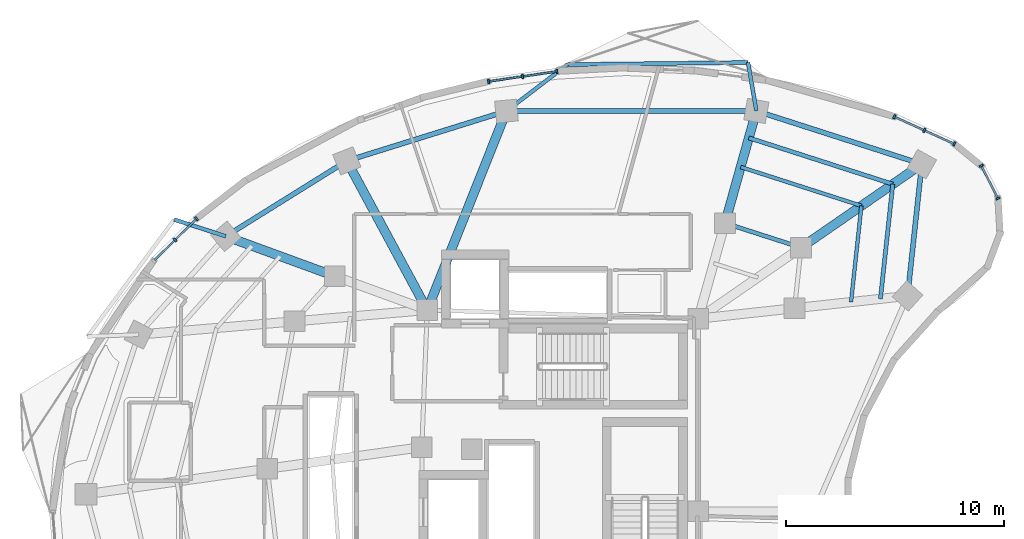
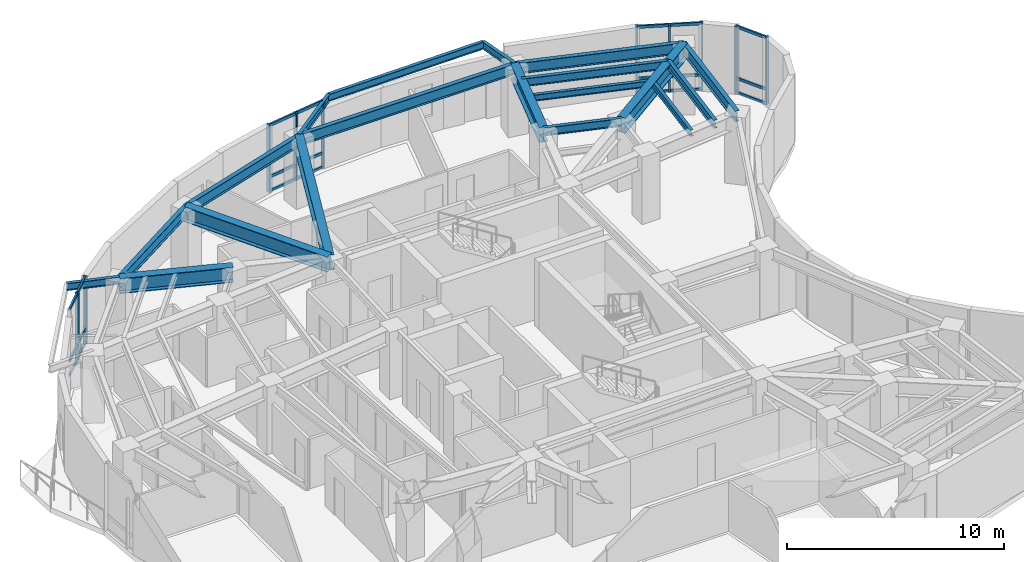
# One storey, part 5 of 13: 31 members, 19 beams, 4 elements without a shape of their own.
"""IFC4 building model written with IfcOpenShell, lengths in metres."""

from ifc_helpers import new_model, si_unit, direction, frame, origin, origin_2d, place, context, subcontext, project, spatial, rectangle, i_section, extrude, material, layer, layer_set, material_profile, profile_set, type_object, element, aggregate, save


model = new_model("IFC4")

# Units and contexts
model_context = context("Model", 3, precision=1e-05, world=origin(), true_north=direction((0.0, 1.0)))
body_context = subcontext(model_context, "Body", "Model", "MODEL_VIEW")
ifc_project = project(units=[si_unit("LENGTHUNIT", "METRE"), si_unit("AREAUNIT", "SQUARE_METRE"), si_unit("VOLUMEUNIT", "CUBIC_METRE"), si_unit("PLANEANGLEUNIT", "RADIAN"), si_unit("MASSUNIT", "GRAM", prefix="KILO")], contexts=[model_context])

# Site, building, storey
site_placement = place(None, origin())
site = spatial("IfcSite", under=ifc_project, at=site_placement, CompositionType="ELEMENT")
building_placement = place(site_placement, origin())
building = spatial("IfcBuilding", under=site, at=building_placement, Name="Korentha Bioscience Tower", CompositionType="ELEMENT")
storey_placement = place(building_placement, frame((0.0, 0.0, 162.60009765625)))
storey = spatial("IfcBuildingStorey", under=building, at=storey_placement, Name="L37", CompositionType="ELEMENT", Elevation=162.60009765625)

# Beam
ifc_material_1 = material(Name="Steel S355", Category="steel")
ifc_material_profile_1 = material_profile(ifc_material_1, i_section(OverallWidth=0.18994140625, OverallDepth=0.45703125, WebThickness=0.009033203125, FlangeThickness=0.014404296875, at=origin_2d()), Name="Steel S355")
ifc_profile_set_1 = profile_set([ifc_material_profile_1], Name="Steel S355 (MB-460)")
beam_type_1 = type_object("IfcBeamType", Name="Mid-Ring Tie Girder W460x74", PredefinedType="BEAM", material=ifc_profile_set_1)
beam_1_placement = place(storey_placement, frame((42.274658203125, 39.1171875, 3.5615234375), z_axis=(-0.952000195343, 0.306097415976, 0.0), x_axis=(-0.306097415976, -0.952000195343, 0.0)))
element("IfcBeam", 1, at=beam_1_placement, inside=storey, type_object=beam_type_1, Name="L37 Mid-Ring Tie Girder 01", PredefinedType="BEAM", context=body_context, shape_type="SweptSolid", body=[
    extrude(i_section(OverallWidth=0.18994140625, OverallDepth=0.45703125, WebThickness=0.009033203125, FlangeThickness=0.014404296875, at=origin_2d()), origin(), (0.0, 0.0, 1.0), 3.672119140625),
])

# Curtain wall, members
ifc_material_2 = material(Name="Thermally Broken Aluminium Frame", Category="aluminium")
ifc_layer = layer(ifc_material_2, 0.219970703125, Name="Thermally Broken Aluminium Frame")
ifc_layer_set = layer_set([ifc_layer], Name="Thermally Broken Aluminium Frame (CW-T1)")
curtain_wall_type = type_object("IfcCurtainWallType", Name="Standard Bioscience Lab Unitised Curtain Wall CW-T1", PredefinedType="USERDEFINED", material=ifc_layer_set)
curtain_wall_1_placement = place(storey_placement, origin())
curtain_wall_1 = element("IfcCurtainWall", 2, at=curtain_wall_1_placement, inside=storey, type_object=curtain_wall_type, Name="L37 Curtain Wall 01", ObjectType="UNITISED", PredefinedType="USERDEFINED")
ifc_material_3 = material(Name="Anodised Aluminium 6063-T6", Category="aluminium")
ifc_material_profile_2 = material_profile(ifc_material_3, rectangle(XDim=0.090087890625, YDim=0.199951171875, at=origin_2d()), Name="Anodised Aluminium 6063-T6")
ifc_profile_set_2 = profile_set([ifc_material_profile_2], Name="Anodised Aluminium 6063-T6 (CW-MUL)")
member_type_1 = type_object("IfcMemberType", Name="Mullion RECT 90x200", PredefinedType="MULLION", material=ifc_profile_set_2)
member_1_placement = place(storey_placement, frame((49.314453125, 43.878173828125, 0.0), z_axis=(0.0, 0.0, 1.0), x_axis=(-0.910644398392, 0.413190972406, 0.0)))
member_1 = element("IfcMember", 3, at=member_1_placement, type_object=member_type_1, Name="CW-L37-01 Mullion 1", PredefinedType="MULLION", context=body_context, shape_type="SweptSolid", body=[
    extrude(rectangle(XDim=0.090087890625, YDim=0.199951171875, at=origin_2d()), origin(), (0.0, 0.0, 1.0), 3.789794921875),
])
member_2_placement = place(storey_placement, frame((47.93701171875, 44.503173828125, 0.0), z_axis=(0.0, 0.0, 1.0), x_axis=(-0.910644398392, 0.413190972406, 0.0)))
member_2 = element("IfcMember", 4, at=member_2_placement, type_object=member_type_1, Name="CW-L37-01 Mullion 2", PredefinedType="MULLION", context=body_context, shape_type="SweptSolid", body=[
    extrude(rectangle(XDim=0.090087890625, YDim=0.199951171875, at=origin_2d()), origin(), (0.0, 0.0, 1.0), 3.789794921875),
])
member_3_placement = place(storey_placement, frame((46.5595703125, 45.128173828125, 0.0), z_axis=(0.0, 0.0, 1.0), x_axis=(-0.910644398392, 0.413190972406, 0.0)))
member_3 = element("IfcMember", 5, at=member_3_placement, type_object=member_type_1, Name="CW-L37-01 Mullion 3", PredefinedType="MULLION", context=body_context, shape_type="SweptSolid", body=[
    extrude(rectangle(XDim=0.090087890625, YDim=0.199951171875, at=origin_2d()), origin(), (0.0, 0.0, 1.0), 3.789794921875),
])

curtain_wall_2_placement = place(storey_placement, origin())
curtain_wall_2 = element("IfcCurtainWall", 6, at=curtain_wall_2_placement, inside=storey, type_object=curtain_wall_type, Name="L37 Curtain Wall 07", ObjectType="UNITISED", PredefinedType="USERDEFINED")
member_4_placement = place(storey_placement, frame((31.056640625, 47.205078125, 0.0), z_axis=(0.0, 0.0, 1.0), x_axis=(-0.989461919888, -0.144793332342, 0.0)))
member_4 = element("IfcMember", 7, at=member_4_placement, type_object=member_type_1, Name="CW-L37-07 Mullion 1", PredefinedType="MULLION", context=body_context, shape_type="SweptSolid", body=[
    extrude(rectangle(XDim=0.090087890625, YDim=0.199951171875, at=origin_2d()), origin(), (0.0, 0.0, 1.0), 3.789794921875),
])
member_5_placement = place(storey_placement, frame((29.485107421875, 46.97509765625, 0.0), z_axis=(0.0, 0.0, 1.0), x_axis=(-0.989461919888, -0.144793332342, 0.0)))
member_5 = element("IfcMember", 8, at=member_5_placement, type_object=member_type_1, Name="CW-L37-07 Mullion 2", PredefinedType="MULLION", context=body_context, shape_type="SweptSolid", body=[
    extrude(rectangle(XDim=0.090087890625, YDim=0.199951171875, at=origin_2d()), origin(), (0.0, 0.0, 1.0), 3.789794921875),
])
member_6_placement = place(storey_placement, frame((27.913330078125, 46.7451171875, 0.0), z_axis=(0.0, 0.0, 1.0), x_axis=(-0.989461919888, -0.144793332342, 0.0)))
member_6 = element("IfcMember", 9, at=member_6_placement, type_object=member_type_1, Name="CW-L37-07 Mullion 3", PredefinedType="MULLION", context=body_context, shape_type="SweptSolid", body=[
    extrude(rectangle(XDim=0.090087890625, YDim=0.199951171875, at=origin_2d()), origin(), (0.0, 0.0, 1.0), 3.789794921875),
])

curtain_wall_3_placement = place(storey_placement, origin())
curtain_wall_3 = element("IfcCurtainWall", 10, at=curtain_wall_3_placement, inside=storey, type_object=curtain_wall_type, Name="L37 Curtain Wall 13", ObjectType="UNITISED", PredefinedType="USERDEFINED")
member_7_placement = place(storey_placement, frame((14.49951171875, 40.44287109375, 0.0), z_axis=(0.0, 0.0, 1.0), x_axis=(-0.711460557971, -0.702726030862, 0.0)))
member_7 = element("IfcMember", 11, at=member_7_placement, type_object=member_type_1, Name="CW-L37-13 Mullion 1", PredefinedType="MULLION", context=body_context, shape_type="SweptSolid", body=[
    extrude(rectangle(XDim=0.090087890625, YDim=0.199951171875, at=origin_2d()), origin(), (0.0, 0.0, 1.0), 3.789794921875),
])
member_8_placement = place(storey_placement, frame((13.517333984375, 39.472900390625, 0.0), z_axis=(0.0, 0.0, 1.0), x_axis=(-0.711460557971, -0.702726030862, 0.0)))
member_8 = element("IfcMember", 12, at=member_8_placement, type_object=member_type_1, Name="CW-L37-13 Mullion 2", PredefinedType="MULLION", context=body_context, shape_type="SweptSolid", body=[
    extrude(rectangle(XDim=0.090087890625, YDim=0.199951171875, at=origin_2d()), origin(), (0.0, 0.0, 1.0), 3.789794921875),
])

curtain_wall_4_placement = place(storey_placement, origin())
curtain_wall_4 = element("IfcCurtainWall", 13, at=curtain_wall_4_placement, inside=storey, type_object=curtain_wall_type, Name="L37 Curtain Wall 61", ObjectType="UNITISED", PredefinedType="USERDEFINED")
member_9_placement = place(storey_placement, frame((51.31884765625, 41.375732421875, 0.0), z_axis=(0.0, 0.0, 1.0), x_axis=(-0.45428845847, 0.890854643868, 0.0)))
member_9 = element("IfcMember", 14, at=member_9_placement, type_object=member_type_1, Name="CW-L37-61 Mullion 1", PredefinedType="MULLION", context=body_context, shape_type="SweptSolid", body=[
    extrude(rectangle(XDim=0.090087890625, YDim=0.199951171875, at=origin_2d()), origin(), (0.0, 0.0, 1.0), 3.789794921875),
])
member_10_placement = place(storey_placement, frame((50.5546875, 42.873779296875, 0.0), z_axis=(0.0, 0.0, 1.0), x_axis=(-0.45428845847, 0.890854643868, 0.0)))
member_10 = element("IfcMember", 15, at=member_10_placement, type_object=member_type_1, Name="CW-L37-61 Mullion 2", PredefinedType="MULLION", context=body_context, shape_type="SweptSolid", body=[
    extrude(rectangle(XDim=0.090087890625, YDim=0.199951171875, at=origin_2d()), origin(), (0.0, 0.0, 1.0), 3.789794921875),
])

# Beams
ifc_material_profile_3 = material_profile(ifc_material_1, i_section(OverallWidth=0.22802734375, OverallDepth=0.60791015625, WebThickness=0.01123046875, FlangeThickness=0.017333984375, at=origin_2d()), Name="Steel S355")
ifc_profile_set_3 = profile_set([ifc_material_profile_3], Name="Steel S355 (SB-610)")
beam_type_2 = type_object("IfcBeamType", Name="Perimeter Ring Spandrel Girder W610x113", PredefinedType="SPANDREL", material=ifc_profile_set_3)
beam_2_placement = place(storey_placement, frame((47.821044921875, 42.95263671875, 3.48583984375), z_axis=(-0.952008512555, 0.306071547228, 0.0), x_axis=(-0.306071547228, -0.952008512555, 0.0)))
element("IfcBeam", 16, at=beam_2_placement, inside=storey, type_object=beam_type_2, Name="L37 Perimeter Spandrel Girder 01", PredefinedType="SPANDREL", context=body_context, shape_type="SweptSolid", body=[
    extrude(i_section(OverallWidth=0.22802734375, OverallDepth=0.60791015625, WebThickness=0.01123046875, FlangeThickness=0.017333984375, at=origin_2d()), origin(), (0.0, 0.0, 1.0), 7.98291015625),
])
beam_3_placement = place(storey_placement, frame((40.22119140625, 45.39599609375, 3.48583984375), z_axis=(-0.99999988041, -0.000489059883, 0.0), x_axis=(0.000489059883, -0.99999988041, 0.0)))
element("IfcBeam", 17, at=beam_3_placement, inside=storey, type_object=beam_type_2, Name="L37 Perimeter Spandrel Girder 02", PredefinedType="SPANDREL", context=body_context, shape_type="SweptSolid", body=[
    extrude(i_section(OverallWidth=0.22802734375, OverallDepth=0.60791015625, WebThickness=0.01123046875, FlangeThickness=0.017333984375, at=origin_2d()), origin(), (0.0, 0.0, 1.0), 11.481689453125),
])
beam_4_placement = place(storey_placement, frame((28.739501953125, 45.390380859375, 3.48583984375), z_axis=(-0.954638172607, -0.29776829818, 0.0), x_axis=(0.29776829818, -0.954638172607, 0.0)))
element("IfcBeam", 18, at=beam_4_placement, inside=storey, type_object=beam_type_2, Name="L37 Perimeter Spandrel Girder 03", PredefinedType="SPANDREL", context=body_context, shape_type="SweptSolid", body=[
    extrude(i_section(OverallWidth=0.22802734375, OverallDepth=0.60791015625, WebThickness=0.01123046875, FlangeThickness=0.017333984375, at=origin_2d()), origin(), (0.0, 0.0, 1.0), 7.682373046875),
])
beam_5_placement = place(storey_placement, frame((21.405517578125, 43.102783203125, 3.48583984375), z_axis=(-0.848675740059, -0.528913497876, 0.0), x_axis=(0.528913497876, -0.848675740059, 0.0)))
element("IfcBeam", 19, at=beam_5_placement, inside=storey, type_object=beam_type_2, Name="L37 Perimeter Spandrel Girder 04", PredefinedType="SPANDREL", context=body_context, shape_type="SweptSolid", body=[
    extrude(i_section(OverallWidth=0.22802734375, OverallDepth=0.60791015625, WebThickness=0.01123046875, FlangeThickness=0.017333984375, at=origin_2d()), origin(), (0.0, 0.0, 1.0), 6.55322265625),
])
beam_6_placement = place(storey_placement, frame((47.16748046875, 36.89794921875, 3.48583984375), z_axis=(0.10732012232, 0.994224517574, 0.0), x_axis=(-0.994224517574, 0.10732012232, 0.0)))
element("IfcBeam", 20, at=beam_6_placement, inside=storey, type_object=beam_type_2, Name="L37 Perimeter Spandrel Girder 16", PredefinedType="SPANDREL", context=body_context, shape_type="SweptSolid", body=[
    extrude(i_section(OverallWidth=0.22802734375, OverallDepth=0.60791015625, WebThickness=0.01123046875, FlangeThickness=0.017333984375, at=origin_2d()), origin(), (0.0, 0.0, 1.0), 6.08984375),
])
ifc_material_profile_4 = material_profile(ifc_material_1, i_section(OverallWidth=0.419921875, OverallDepth=0.85009765625, WebThickness=0.01806640625, FlangeThickness=0.031982421875, at=origin_2d()), Name="Steel S355")
ifc_profile_set_4 = profile_set([ifc_material_profile_4], Name="Steel S355 (MB-850)")
beam_type_3 = type_object("IfcBeamType", Name="Plant Heavy Girder CVS 850x315", PredefinedType="BEAM", material=ifc_profile_set_4)
beam_7_placement = place(storey_placement, frame((42.274658203125, 39.1171875, 3.364990234375), z_axis=(0.822494455845, 0.568773127094, 0.0), x_axis=(-0.568773127094, 0.822494455845, 0.0)))
element("IfcBeam", 21, at=beam_7_placement, inside=storey, type_object=beam_type_3, Name="L37 Outer Radial Girder 01", PredefinedType="BEAM", context=body_context, shape_type="SweptSolid", body=[
    extrude(i_section(OverallWidth=0.419921875, OverallDepth=0.85009765625, WebThickness=0.01806640625, FlangeThickness=0.031982421875, at=origin_2d()), origin(), (0.0, 0.0, 1.0), 6.743408203125),
])
beam_8_placement = place(storey_placement, frame((38.77880859375, 40.2412109375, 3.364990234375), z_axis=(0.269464128344, 0.963010427532, 0.0), x_axis=(-0.963010427532, 0.269464128344, 0.0)))
element("IfcBeam", 22, at=beam_8_placement, inside=storey, type_object=beam_type_3, Name="L37 Outer Radial Girder 02", PredefinedType="BEAM", context=body_context, shape_type="SweptSolid", body=[
    extrude(i_section(OverallWidth=0.419921875, OverallDepth=0.85009765625, WebThickness=0.01806640625, FlangeThickness=0.031982421875, at=origin_2d()), origin(), (0.0, 0.0, 1.0), 5.352783203125),
])
beam_9_placement = place(storey_placement, frame((25.10009765625, 36.25, 3.364990234375), z_axis=(0.369922682955, 0.929062542909, 0.0), x_axis=(-0.929062542909, 0.369922682955, 0.0)))
element("IfcBeam", 23, at=beam_9_placement, inside=storey, type_object=beam_type_3, Name="L37 Radial Girder 03", PredefinedType="BEAM", context=body_context, shape_type="SweptSolid", body=[
    extrude(i_section(OverallWidth=0.419921875, OverallDepth=0.85009765625, WebThickness=0.01806640625, FlangeThickness=0.031982421875, at=origin_2d()), origin(), (0.0, 0.0, 1.0), 9.83837890625),
])
beam_10_placement = place(storey_placement, frame((25.10009765625, 36.25, 3.364990234375), z_axis=(-0.474559790141, 0.880223270302, 0.0), x_axis=(-0.880223270302, -0.474559790141, 0.0)))
element("IfcBeam", 24, at=beam_10_placement, inside=storey, type_object=beam_type_3, Name="L37 Radial Girder 04", PredefinedType="BEAM", context=body_context, shape_type="SweptSolid", body=[
    extrude(i_section(OverallWidth=0.419921875, OverallDepth=0.85009765625, WebThickness=0.01806640625, FlangeThickness=0.031982421875, at=origin_2d()), origin(), (0.0, 0.0, 1.0), 7.785400390625),
])
beam_11_placement = place(storey_placement, frame((20.84228515625, 37.807861328125, 3.364990234375), z_axis=(-0.939109855566, 0.343617053097, 0.0), x_axis=(-0.343617053097, -0.939109855566, 0.0)))
element("IfcBeam", 25, at=beam_11_placement, inside=storey, type_object=beam_type_3, Name="L37 Outer Radial Girder 05", PredefinedType="BEAM", context=body_context, shape_type="SweptSolid", body=[
    extrude(i_section(OverallWidth=0.419921875, OverallDepth=0.85009765625, WebThickness=0.01806640625, FlangeThickness=0.031982421875, at=origin_2d()), origin(), (0.0, 0.0, 1.0), 5.322265625),
])
ifc_material_profile_5 = material_profile(ifc_material_1, i_section(OverallWidth=0.18994140625, OverallDepth=0.45703125, WebThickness=0.009033203125, FlangeThickness=0.014404296875, at=origin_2d()), Name="Steel S355")
ifc_profile_set_5 = profile_set([ifc_material_profile_5], Name="Steel S355 (RB-460)")
beam_type_4 = type_object("IfcBeamType", Name="Radial Laboratory Beam W460x74", PredefinedType="BEAM", material=ifc_profile_set_5)
beam_12_placement = place(storey_placement, frame((46.489990234375, 42.031982421875, 3.5615234375), z_axis=(-0.952009183817, 0.306069459318, 0.0), x_axis=(-0.306069459318, -0.952009183817, 0.0)))
element("IfcBeam", 26, at=beam_12_placement, inside=storey, type_object=beam_type_4, Name="L37 Secondary Floor Beam JSTO-01", PredefinedType="BEAM", context=body_context, shape_type="SweptSolid", body=[
    extrude(i_section(OverallWidth=0.18994140625, OverallDepth=0.45703125, WebThickness=0.009033203125, FlangeThickness=0.014404296875, at=origin_2d()), origin(), (0.0, 0.0, 1.0), 6.948486328125),
])
beam_13_placement = place(storey_placement, frame((45.921142578125, 36.76220703125, 3.5615234375), z_axis=(0.107321875607, 0.994224328316, 0.0), x_axis=(-0.994224328316, 0.107321875607, 0.0)))
element("IfcBeam", 27, at=beam_13_placement, inside=storey, type_object=beam_type_4, Name="L37 Secondary Floor Beam JSTO-16", PredefinedType="BEAM", context=body_context, shape_type="SweptSolid", body=[
    extrude(i_section(OverallWidth=0.18994140625, OverallDepth=0.45703125, WebThickness=0.009033203125, FlangeThickness=0.014404296875, at=origin_2d()), origin(), (0.0, 0.0, 1.0), 5.30029296875),
])
ifc_material_profile_6 = material_profile(ifc_material_1, i_section(OverallWidth=0.1708984375, OverallDepth=0.35498046875, WebThickness=0.007080078125, FlangeThickness=0.01171875, at=origin_2d()), Name="Steel S355")
ifc_profile_set_6 = profile_set([ifc_material_profile_6], Name="Steel S355 (JB-360)")
beam_type_5 = type_object("IfcBeamType", Name="Secondary Laboratory Joist W360x51", PredefinedType="JOIST", material=ifc_profile_set_6)
beam_14_placement = place(storey_placement, frame((45.0478515625, 41.034912109375, 3.6123046875), z_axis=(-0.952005892166, 0.306079697596, 0.0), x_axis=(-0.306079697596, -0.952005892166, 0.0)))
element("IfcBeam", 28, at=beam_14_placement, inside=storey, type_object=beam_type_5, Name="L37 Secondary Floor Beam JST-01", PredefinedType="JOIST", context=body_context, shape_type="SweptSolid", body=[
    extrude(i_section(OverallWidth=0.1708984375, OverallDepth=0.35498046875, WebThickness=0.007080078125, FlangeThickness=0.01171875, at=origin_2d()), origin(), (0.0, 0.0, 1.0), 5.82763671875),
])
beam_15_placement = place(storey_placement, frame((44.57080078125, 36.614990234375, 3.6123046875), z_axis=(0.107308722475, 0.994225748048, 0.0), x_axis=(-0.994225748048, 0.107308722475, 0.0)))
element("IfcBeam", 29, at=beam_15_placement, inside=storey, type_object=beam_type_5, Name="L37 Secondary Floor Beam JST-16", PredefinedType="JOIST", context=body_context, shape_type="SweptSolid", body=[
    extrude(i_section(OverallWidth=0.1708984375, OverallDepth=0.35498046875, WebThickness=0.007080078125, FlangeThickness=0.01171875, at=origin_2d()), origin(), (0.0, 0.0, 1.0), 4.445556640625),
])
ifc_material_profile_7 = material_profile(ifc_material_1, i_section(OverallWidth=0.177978515625, OverallDepth=0.406982421875, WebThickness=0.0078125, FlangeThickness=0.0126953125, at=origin_2d()), Name="Steel S355")
ifc_profile_set_7 = profile_set([ifc_material_profile_7], Name="Steel S355 (CB-410)")
beam_type_6 = type_object("IfcBeamType", Name="Sun-Ledge Cantilever Beam W410x60", PredefinedType="BEAM", material=ifc_profile_set_7)
beam_16_placement = place(storey_placement, frame((40.22119140625, 45.39599609375, 3.58837890625), z_axis=(-0.169095852477, 0.985599610732, 0.0), x_axis=(-0.985599610732, -0.169095852477, 0.0)))
element("IfcBeam", 30, at=beam_16_placement, inside=storey, type_object=beam_type_6, Name="L37 Balcony Cantilever Bracket A-L38-01", PredefinedType="BEAM", context=body_context, shape_type="SweptSolid", body=[
    extrude(i_section(OverallWidth=0.177978515625, OverallDepth=0.406982421875, WebThickness=0.0078125, FlangeThickness=0.0126953125, at=origin_2d()), origin(), (0.0, 0.0, 1.0), 2.258056640625),
])
beam_17_placement = place(storey_placement, frame((28.739501953125, 45.390380859375, 3.58837890625), z_axis=(0.794810389594, 0.606857845458, 0.0), x_axis=(-0.606857845458, 0.794810389594, 0.0)))
element("IfcBeam", 31, at=beam_17_placement, inside=storey, type_object=beam_type_6, Name="L37 Balcony Cantilever Bracket B-L38-01", PredefinedType="BEAM", context=body_context, shape_type="SweptSolid", body=[
    extrude(i_section(OverallWidth=0.177978515625, OverallDepth=0.406982421875, WebThickness=0.0078125, FlangeThickness=0.0126953125, at=origin_2d()), origin(), (0.0, 0.0, 1.0), 3.520263671875),
])
beam_18_placement = place(storey_placement, frame((39.83935546875, 47.62158203125, 3.58837890625), z_axis=(-0.999934575407, -0.011438745768, 0.0), x_axis=(0.011438745768, -0.999934575407, 0.0)))
element("IfcBeam", 32, at=beam_18_placement, inside=storey, type_object=beam_type_6, Name="L37 Balcony Edge Trimmer Beam L38-01", PredefinedType="BEAM", context=body_context, shape_type="SweptSolid", body=[
    extrude(i_section(OverallWidth=0.177978515625, OverallDepth=0.406982421875, WebThickness=0.0078125, FlangeThickness=0.0126953125, at=origin_2d()), origin(), (0.0, 0.0, 1.0), 8.302490234375),
])
beam_19_placement = place(storey_placement, frame((15.843994140625, 39.63671875, 3.58837890625), z_axis=(-0.951344006002, 0.308130787563, 0.0), x_axis=(-0.308130787563, -0.951344006002, 0.0)))
element("IfcBeam", 33, at=beam_19_placement, inside=storey, type_object=beam_type_6, Name="L37 Balcony Cantilever Bracket A-L38-02", PredefinedType="BEAM", context=body_context, shape_type="SweptSolid", body=[
    extrude(i_section(OverallWidth=0.177978515625, OverallDepth=0.406982421875, WebThickness=0.0078125, FlangeThickness=0.0126953125, at=origin_2d()), origin(), (0.0, 0.0, 1.0), 2.490966796875),
])

# Member
ifc_material_profile_8 = material_profile(ifc_material_3, rectangle(XDim=0.090087890625, YDim=0.159912109375, at=origin_2d()), Name="Anodised Aluminium 6063-T6")
ifc_profile_set_8 = profile_set([ifc_material_profile_8], Name="Anodised Aluminium 6063-T6 (CW-TRN)")
member_type_2 = type_object("IfcMemberType", Name="Transom RECT 90x160", PredefinedType="USERDEFINED", material=ifc_profile_set_8)
member_11_placement = place(storey_placement, frame((49.2734375, 43.896728515625, 0.044921875), z_axis=(-0.910613165474, 0.41325980069, 0.0), x_axis=(-0.41325980069, -0.910613165474, 0.0)))
member_11 = element("IfcMember", 34, at=member_11_placement, type_object=member_type_2, Name="CW-L37-01 Bay 1 Transom 1", ObjectType="TRANSOM", PredefinedType="USERDEFINED", context=body_context, shape_type="SweptSolid", body=[
    extrude(rectangle(XDim=0.090087890625, YDim=0.159912109375, at=origin_2d()), origin(), (0.0, 0.0, 1.0), 1.422607421875),
])

member_12_placement = place(storey_placement, frame((49.2734375, 43.896728515625, 0.849853515625), z_axis=(-0.910613165474, 0.41325980069, 0.0), x_axis=(-0.41325980069, -0.910613165474, 0.0)))
member_12 = element("IfcMember", 35, at=member_12_placement, type_object=member_type_2, Name="CW-L37-01 Bay 1 Transom 2", ObjectType="TRANSOM", PredefinedType="USERDEFINED", context=body_context, shape_type="SweptSolid", body=[
    extrude(rectangle(XDim=0.090087890625, YDim=0.159912109375, at=origin_2d()), origin(), (0.0, 0.0, 1.0), 1.422607421875),
])

member_13_placement = place(storey_placement, frame((49.2734375, 43.896728515625, 3.744873046875), z_axis=(-0.910613165474, 0.41325980069, 0.0), x_axis=(-0.41325980069, -0.910613165474, 0.0)))
member_13 = element("IfcMember", 36, at=member_13_placement, type_object=member_type_2, Name="CW-L37-01 Bay 1 Transom 3", ObjectType="TRANSOM", PredefinedType="USERDEFINED", context=body_context, shape_type="SweptSolid", body=[
    extrude(rectangle(XDim=0.090087890625, YDim=0.159912109375, at=origin_2d()), origin(), (0.0, 0.0, 1.0), 1.422607421875),
])

member_14_placement = place(storey_placement, frame((47.89599609375, 44.521728515625, 0.044921875), z_axis=(-0.910613165474, 0.41325980069, 0.0), x_axis=(-0.41325980069, -0.910613165474, 0.0)))
member_14 = element("IfcMember", 37, at=member_14_placement, type_object=member_type_2, Name="CW-L37-01 Bay 2 Transom 1", ObjectType="TRANSOM", PredefinedType="USERDEFINED", context=body_context, shape_type="SweptSolid", body=[
    extrude(rectangle(XDim=0.090087890625, YDim=0.159912109375, at=origin_2d()), origin(), (0.0, 0.0, 1.0), 1.422607421875),
])

member_15_placement = place(storey_placement, frame((47.89599609375, 44.521728515625, 0.849853515625), z_axis=(-0.910613165474, 0.41325980069, 0.0), x_axis=(-0.41325980069, -0.910613165474, 0.0)))
member_15 = element("IfcMember", 38, at=member_15_placement, type_object=member_type_2, Name="CW-L37-01 Bay 2 Transom 2", ObjectType="TRANSOM", PredefinedType="USERDEFINED", context=body_context, shape_type="SweptSolid", body=[
    extrude(rectangle(XDim=0.090087890625, YDim=0.159912109375, at=origin_2d()), origin(), (0.0, 0.0, 1.0), 1.422607421875),
])

member_16_placement = place(storey_placement, frame((47.89599609375, 44.521728515625, 3.744873046875), z_axis=(-0.910613165474, 0.41325980069, 0.0), x_axis=(-0.41325980069, -0.910613165474, 0.0)))
member_16 = element("IfcMember", 39, at=member_16_placement, type_object=member_type_2, Name="CW-L37-01 Bay 2 Transom 3", ObjectType="TRANSOM", PredefinedType="USERDEFINED", context=body_context, shape_type="SweptSolid", body=[
    extrude(rectangle(XDim=0.090087890625, YDim=0.159912109375, at=origin_2d()), origin(), (0.0, 0.0, 1.0), 1.422607421875),
])

aggregate(curtain_wall_1, [member_1, member_2, member_3, member_11, member_12, member_13, member_14, member_15, member_16])

member_17_placement = place(storey_placement, frame((31.01220703125, 47.198486328125, 0.044921875), z_axis=(-0.989478137929, -0.144682461136, 0.0), x_axis=(0.144682461136, -0.989478137929, 0.0)))
member_17 = element("IfcMember", 40, at=member_17_placement, type_object=member_type_2, Name="CW-L37-07 Bay 1 Transom 1", ObjectType="TRANSOM", PredefinedType="USERDEFINED", context=body_context, shape_type="SweptSolid", body=[
    extrude(rectangle(XDim=0.090087890625, YDim=0.159912109375, at=origin_2d()), origin(), (0.0, 0.0, 1.0), 1.49853515625),
])

member_18_placement = place(storey_placement, frame((31.01220703125, 47.198486328125, 0.849853515625), z_axis=(-0.989478137929, -0.144682461136, 0.0), x_axis=(0.144682461136, -0.989478137929, 0.0)))
member_18 = element("IfcMember", 41, at=member_18_placement, type_object=member_type_2, Name="CW-L37-07 Bay 1 Transom 2", ObjectType="TRANSOM", PredefinedType="USERDEFINED", context=body_context, shape_type="SweptSolid", body=[
    extrude(rectangle(XDim=0.090087890625, YDim=0.159912109375, at=origin_2d()), origin(), (0.0, 0.0, 1.0), 1.49853515625),
])

member_19_placement = place(storey_placement, frame((31.01220703125, 47.198486328125, 3.744873046875), z_axis=(-0.989478137929, -0.144682461136, 0.0), x_axis=(0.144682461136, -0.989478137929, 0.0)))
member_19 = element("IfcMember", 42, at=member_19_placement, type_object=member_type_2, Name="CW-L37-07 Bay 1 Transom 3", ObjectType="TRANSOM", PredefinedType="USERDEFINED", context=body_context, shape_type="SweptSolid", body=[
    extrude(rectangle(XDim=0.090087890625, YDim=0.159912109375, at=origin_2d()), origin(), (0.0, 0.0, 1.0), 1.49853515625),
])

member_20_placement = place(storey_placement, frame((29.4404296875, 46.968505859375, 0.044921875), z_axis=(-0.989474726473, -0.144705790038, 0.0), x_axis=(0.144705790038, -0.989474726473, 0.0)))
member_20 = element("IfcMember", 43, at=member_20_placement, type_object=member_type_2, Name="CW-L37-07 Bay 2 Transom 1", ObjectType="TRANSOM", PredefinedType="USERDEFINED", context=body_context, shape_type="SweptSolid", body=[
    extrude(rectangle(XDim=0.090087890625, YDim=0.159912109375, at=origin_2d()), origin(), (0.0, 0.0, 1.0), 1.498291015625),
])

member_21_placement = place(storey_placement, frame((29.4404296875, 46.968505859375, 0.849853515625), z_axis=(-0.989474726473, -0.144705790038, 0.0), x_axis=(0.144705790038, -0.989474726473, 0.0)))
member_21 = element("IfcMember", 44, at=member_21_placement, type_object=member_type_2, Name="CW-L37-07 Bay 2 Transom 2", ObjectType="TRANSOM", PredefinedType="USERDEFINED", context=body_context, shape_type="SweptSolid", body=[
    extrude(rectangle(XDim=0.090087890625, YDim=0.159912109375, at=origin_2d()), origin(), (0.0, 0.0, 1.0), 1.498291015625),
])

member_22_placement = place(storey_placement, frame((29.4404296875, 46.968505859375, 3.744873046875), z_axis=(-0.989474726473, -0.144705790038, 0.0), x_axis=(0.144705790038, -0.989474726473, 0.0)))
member_22 = element("IfcMember", 45, at=member_22_placement, type_object=member_type_2, Name="CW-L37-07 Bay 2 Transom 3", ObjectType="TRANSOM", PredefinedType="USERDEFINED", context=body_context, shape_type="SweptSolid", body=[
    extrude(rectangle(XDim=0.090087890625, YDim=0.159912109375, at=origin_2d()), origin(), (0.0, 0.0, 1.0), 1.498291015625),
])

aggregate(curtain_wall_2, [member_4, member_5, member_6, member_17, member_18, member_19, member_20, member_21, member_22])

member_23_placement = place(storey_placement, frame((14.46728515625, 40.4111328125, 0.044921875), z_axis=(-0.711445315109, -0.70274146285, 0.0), x_axis=(0.70274146285, -0.711445315109, 0.0)))
member_23 = element("IfcMember", 46, at=member_23_placement, type_object=member_type_2, Name="CW-L37-13 Bay 1 Transom 1", ObjectType="TRANSOM", PredefinedType="USERDEFINED", context=body_context, shape_type="SweptSolid", body=[
    extrude(rectangle(XDim=0.090087890625, YDim=0.159912109375, at=origin_2d()), origin(), (0.0, 0.0, 1.0), 1.290283203125),
])

member_24_placement = place(storey_placement, frame((14.46728515625, 40.4111328125, 0.849853515625), z_axis=(-0.711445315109, -0.70274146285, 0.0), x_axis=(0.70274146285, -0.711445315109, 0.0)))
member_24 = element("IfcMember", 47, at=member_24_placement, type_object=member_type_2, Name="CW-L37-13 Bay 1 Transom 2", ObjectType="TRANSOM", PredefinedType="USERDEFINED", context=body_context, shape_type="SweptSolid", body=[
    extrude(rectangle(XDim=0.090087890625, YDim=0.159912109375, at=origin_2d()), origin(), (0.0, 0.0, 1.0), 1.290283203125),
])

member_25_placement = place(storey_placement, frame((14.46728515625, 40.4111328125, 3.744873046875), z_axis=(-0.711445315109, -0.70274146285, 0.0), x_axis=(0.70274146285, -0.711445315109, 0.0)))
member_25 = element("IfcMember", 48, at=member_25_placement, type_object=member_type_2, Name="CW-L37-13 Bay 1 Transom 3", ObjectType="TRANSOM", PredefinedType="USERDEFINED", context=body_context, shape_type="SweptSolid", body=[
    extrude(rectangle(XDim=0.090087890625, YDim=0.159912109375, at=origin_2d()), origin(), (0.0, 0.0, 1.0), 1.290283203125),
])

member_26_placement = place(storey_placement, frame((13.4853515625, 39.441162109375, 0.044921875), z_axis=(-0.711444158079, -0.70274263421, 0.0), x_axis=(0.70274263421, -0.711444158079, 0.0)))
member_26 = element("IfcMember", 49, at=member_26_placement, type_object=member_type_2, Name="CW-L37-13 Bay 2 Transom 1", ObjectType="TRANSOM", PredefinedType="USERDEFINED", context=body_context, shape_type="SweptSolid", body=[
    extrude(rectangle(XDim=0.090087890625, YDim=0.159912109375, at=origin_2d()), origin(), (0.0, 0.0, 1.0), 1.29052734375),
])

member_27_placement = place(storey_placement, frame((13.4853515625, 39.441162109375, 0.849853515625), z_axis=(-0.711444158079, -0.70274263421, 0.0), x_axis=(0.70274263421, -0.711444158079, 0.0)))
member_27 = element("IfcMember", 50, at=member_27_placement, type_object=member_type_2, Name="CW-L37-13 Bay 2 Transom 2", ObjectType="TRANSOM", PredefinedType="USERDEFINED", context=body_context, shape_type="SweptSolid", body=[
    extrude(rectangle(XDim=0.090087890625, YDim=0.159912109375, at=origin_2d()), origin(), (0.0, 0.0, 1.0), 1.29052734375),
])

member_28_placement = place(storey_placement, frame((13.4853515625, 39.441162109375, 3.744873046875), z_axis=(-0.711444158079, -0.70274263421, 0.0), x_axis=(0.70274263421, -0.711444158079, 0.0)))
member_28 = element("IfcMember", 51, at=member_28_placement, type_object=member_type_2, Name="CW-L37-13 Bay 2 Transom 3", ObjectType="TRANSOM", PredefinedType="USERDEFINED", context=body_context, shape_type="SweptSolid", body=[
    extrude(rectangle(XDim=0.090087890625, YDim=0.159912109375, at=origin_2d()), origin(), (0.0, 0.0, 1.0), 1.29052734375),
])

aggregate(curtain_wall_3, [member_7, member_8, member_23, member_24, member_25, member_26, member_27, member_28])

member_29_placement = place(storey_placement, frame((51.29833984375, 41.415771484375, 0.044921875), z_axis=(-0.454316345026, 0.890840422658, 0.0), x_axis=(-0.890840422658, -0.454316345026, 0.0)))
member_29 = element("IfcMember", 52, at=member_29_placement, type_object=member_type_2, Name="CW-L37-61 Bay 1 Transom 1", ObjectType="TRANSOM", PredefinedType="USERDEFINED", context=body_context, shape_type="SweptSolid", body=[
    extrude(rectangle(XDim=0.090087890625, YDim=0.159912109375, at=origin_2d()), origin(), (0.0, 0.0, 1.0), 1.591796875),
])

member_30_placement = place(storey_placement, frame((51.29833984375, 41.415771484375, 0.849853515625), z_axis=(-0.454316345026, 0.890840422658, 0.0), x_axis=(-0.890840422658, -0.454316345026, 0.0)))
member_30 = element("IfcMember", 53, at=member_30_placement, type_object=member_type_2, Name="CW-L37-61 Bay 1 Transom 2", ObjectType="TRANSOM", PredefinedType="USERDEFINED", context=body_context, shape_type="SweptSolid", body=[
    extrude(rectangle(XDim=0.090087890625, YDim=0.159912109375, at=origin_2d()), origin(), (0.0, 0.0, 1.0), 1.591796875),
])

member_31_placement = place(storey_placement, frame((51.29833984375, 41.415771484375, 3.744873046875), z_axis=(-0.454316345026, 0.890840422658, 0.0), x_axis=(-0.890840422658, -0.454316345026, 0.0)))
member_31 = element("IfcMember", 54, at=member_31_placement, type_object=member_type_2, Name="CW-L37-61 Bay 1 Transom 3", ObjectType="TRANSOM", PredefinedType="USERDEFINED", context=body_context, shape_type="SweptSolid", body=[
    extrude(rectangle(XDim=0.090087890625, YDim=0.159912109375, at=origin_2d()), origin(), (0.0, 0.0, 1.0), 1.591796875),
])

aggregate(curtain_wall_4, [member_9, member_10, member_29, member_30, member_31])

save(model, "model.ifc")
